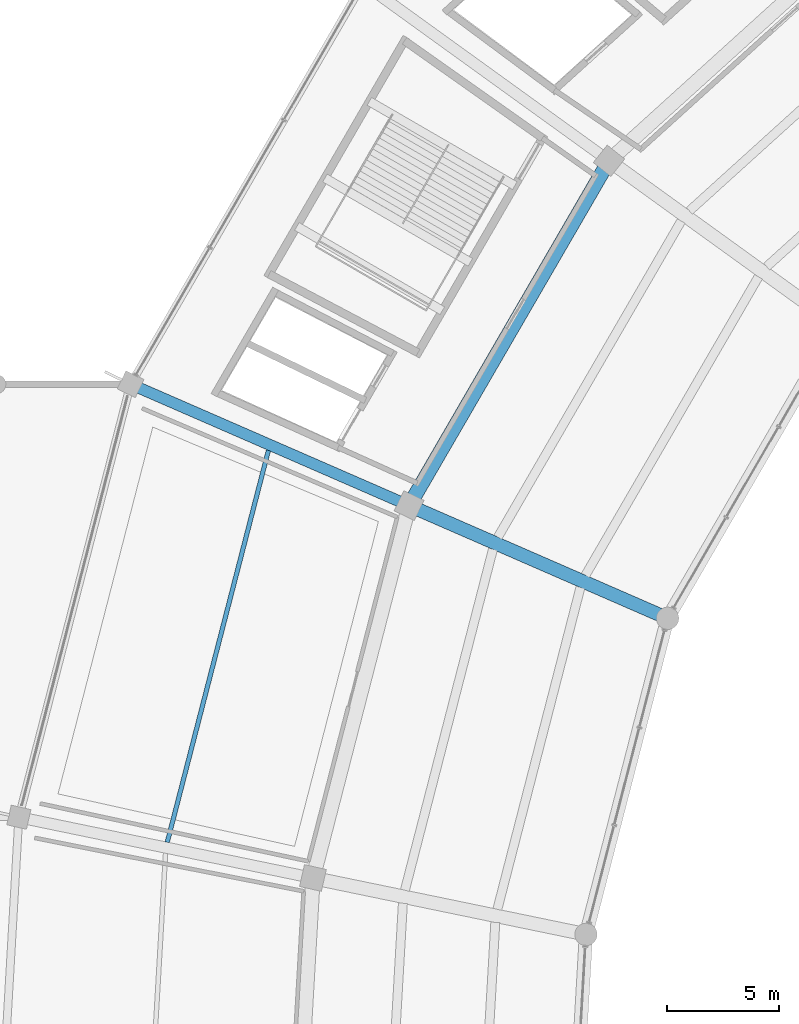
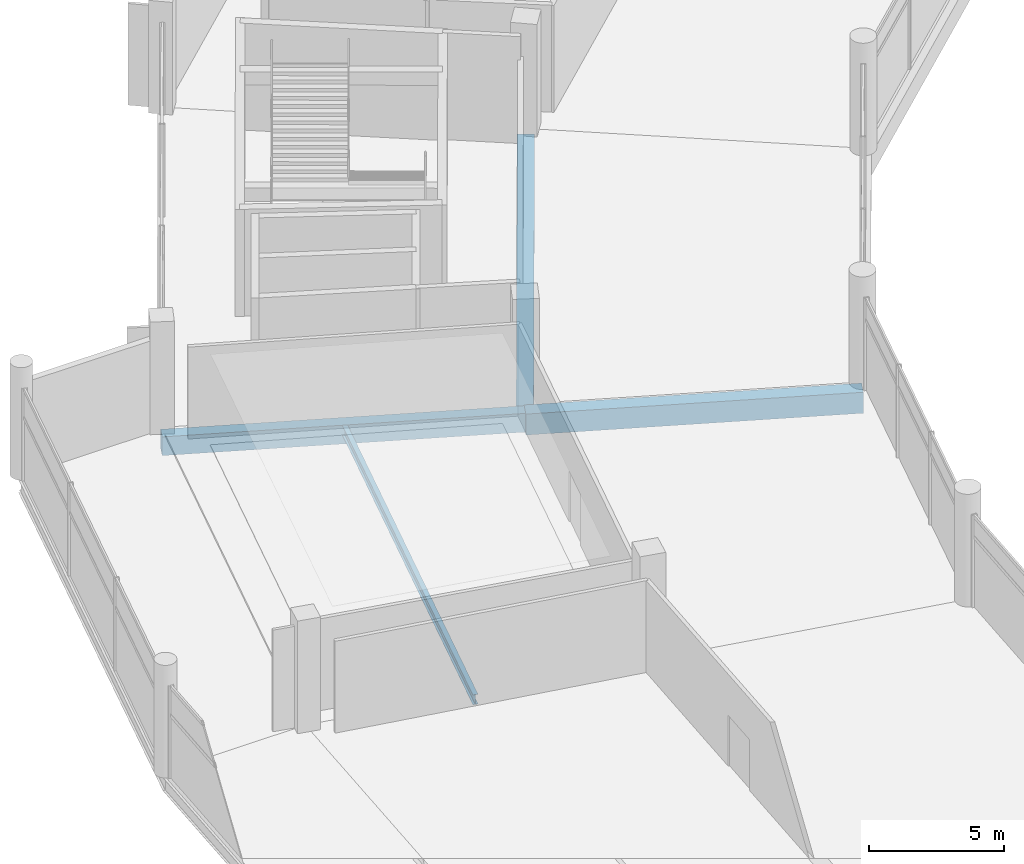
# One storey, part 55 of 184: 4 beams.
"""IFC4 building model written with IfcOpenShell, lengths in metres."""

from ifc_helpers import new_model, si_unit, direction, frame, origin, origin_2d, place, context, subcontext, project, spatial, rectangle, i_section, extrude, material, material_profile, profile_set, type_object, element, save


model = new_model("IFC4")

# Units and contexts
model_context = context("Model", 3, precision=1e-05, world=origin(), true_north=direction((0.0, 1.0)))
body_context = subcontext(model_context, "Body", "Model", "MODEL_VIEW")
ifc_project = project(units=[si_unit("LENGTHUNIT", "METRE"), si_unit("AREAUNIT", "SQUARE_METRE"), si_unit("VOLUMEUNIT", "CUBIC_METRE"), si_unit("PLANEANGLEUNIT", "RADIAN"), si_unit("MASSUNIT", "GRAM", prefix="KILO")], contexts=[model_context])

# Site, building, storey
site_placement = place(None, origin())
site = spatial("IfcSite", under=ifc_project, at=site_placement, CompositionType="ELEMENT")
building_placement = place(site_placement, origin())
building = spatial("IfcBuilding", under=site, at=building_placement, Name="Kazemori Nagisa Stadium", CompositionType="ELEMENT")
storey_placement = place(building_placement, frame((0.0, 0.0, 10.5400390625)))
storey = spatial("IfcBuildingStorey", under=building, at=storey_placement, Name="L02", CompositionType="ELEMENT", Elevation=10.5400390625)

# Beams
ifc_material_1 = material(Name="Concrete C40/50 (Fc42)", Category="concrete")
ifc_material_profile_1 = material_profile(ifc_material_1, rectangle(XDim=0.5, YDim=0.85009765625, at=origin_2d()), Name="RC-BM-500x850")
ifc_profile_set_1 = profile_set([ifc_material_profile_1], Name="Concrete C40/50 (Fc42)")
beam_type_1 = type_object("IfcBeamType", Name="Beam_BG-RC500X850", PredefinedType="BEAM", material=ifc_profile_set_1)
beam_1_placement = place(storey_placement, frame((46.55908203125, 135.32470703125, -0.68505859375), z_axis=(-0.916683633521, 0.399613708517, 0.0), x_axis=(-0.399613708517, -0.916683633521, 0.0)))
element("IfcBeam", 1, at=beam_1_placement, inside=storey, type_object=beam_type_1, Name="Radial girder BG-RC500X850 L02 R2-R3-13", PredefinedType="BEAM", context=body_context, shape_type="SweptSolid", body=[
    extrude(rectangle(XDim=0.5, YDim=0.85009765625, at=origin_2d()), origin(), (0.0, 0.0, 1.0), 13.5751953125),
])
ifc_material_profile_2 = material_profile(ifc_material_1, rectangle(XDim=0.60009765625, YDim=0.949951171875, at=origin_2d()), Name="RC-BM-600x950")
ifc_profile_set_2 = profile_set([ifc_material_profile_2], Name="Concrete C40/50 (Fc42)")
beam_type_2 = type_object("IfcBeamType", Name="Beam_BG-RC600X950", PredefinedType="BEAM", material=ifc_profile_set_2)
beam_2_placement = place(storey_placement, frame((58.114013671875, 130.287109375, -0.735107421875), z_axis=(-0.916671768981, 0.399640923771, 0.0), x_axis=(-0.399640923771, -0.916671768981, 0.0)))
element("IfcBeam", 2, at=beam_2_placement, inside=storey, type_object=beam_type_2, Name="Radial girder BG-RC600X950 L02 R1-R2-13", PredefinedType="BEAM", context=body_context, shape_type="SweptSolid", body=[
    extrude(rectangle(XDim=0.60009765625, YDim=0.949951171875, at=origin_2d()), origin(), (0.0, 0.0, 1.0), 12.605224609375),
])
ifc_material_profile_3 = material_profile(ifc_material_1, rectangle(XDim=0.64990234375, YDim=1.050048828125, at=origin_2d()), Name="RC-BM-650x1050")
ifc_profile_set_3 = profile_set([ifc_material_profile_3], Name="Concrete C40/50 (Fc42)")
beam_type_3 = type_object("IfcBeamType", Name="Beam_BG-RC650X1050", PredefinedType="BEAM", material=ifc_profile_set_3)
beam_3_placement = place(storey_placement, frame((55.493896484375, 150.734130859375, -0.78515625), z_axis=(-0.501606704589, -0.865095783085, 0.0), x_axis=(0.865095783085, -0.501606704589, 0.0)))
element("IfcBeam", 3, at=beam_3_placement, inside=storey, type_object=beam_type_3, Name="Ring girder BG-RC650X1050 L02 R2-12", PredefinedType="BEAM", context=body_context, shape_type="SweptSolid", body=[
    extrude(rectangle(XDim=0.64990234375, YDim=1.050048828125, at=origin_2d()), origin(), (0.0, 0.0, 1.0), 17.8125),
])
ifc_material_2 = material(Name="Steel SN490B", Category="steel")
ifc_material_profile_4 = material_profile(ifc_material_2, i_section(OverallWidth=0.199951171875, OverallDepth=0.449951171875, WebThickness=0.009033203125, FlangeThickness=0.013916015625, FilletRadius=0.012939453125, at=origin_2d()), Name="H-450x200x9x14")
ifc_profile_set_4 = profile_set([ifc_material_profile_4], Name="Steel SN490B")
beam_type_4 = type_object("IfcBeamType", Name="Beam_BJ-H450", PredefinedType="JOIST", material=ifc_profile_set_4)
beam_4_placement = place(storey_placement, frame((40.27587890625, 137.7998046875, -0.485107421875), z_axis=(-0.249965739243, -0.968254681995, 0.0), x_axis=(0.968254681995, -0.249965739243, 0.0)))
element("IfcBeam", 4, at=beam_4_placement, inside=storey, type_object=beam_type_4, Name="Outer bay joist BJ-H450 L02 B13", PredefinedType="JOIST", context=body_context, shape_type="SweptSolid", body=[
    extrude(i_section(OverallWidth=0.199951171875, OverallDepth=0.449951171875, WebThickness=0.009033203125, FlangeThickness=0.013916015625, FilletRadius=0.012939453125, at=origin_2d()), origin(), (0.0, 0.0, 1.0), 18.09716796875),
])

save(model, "model.ifc")
